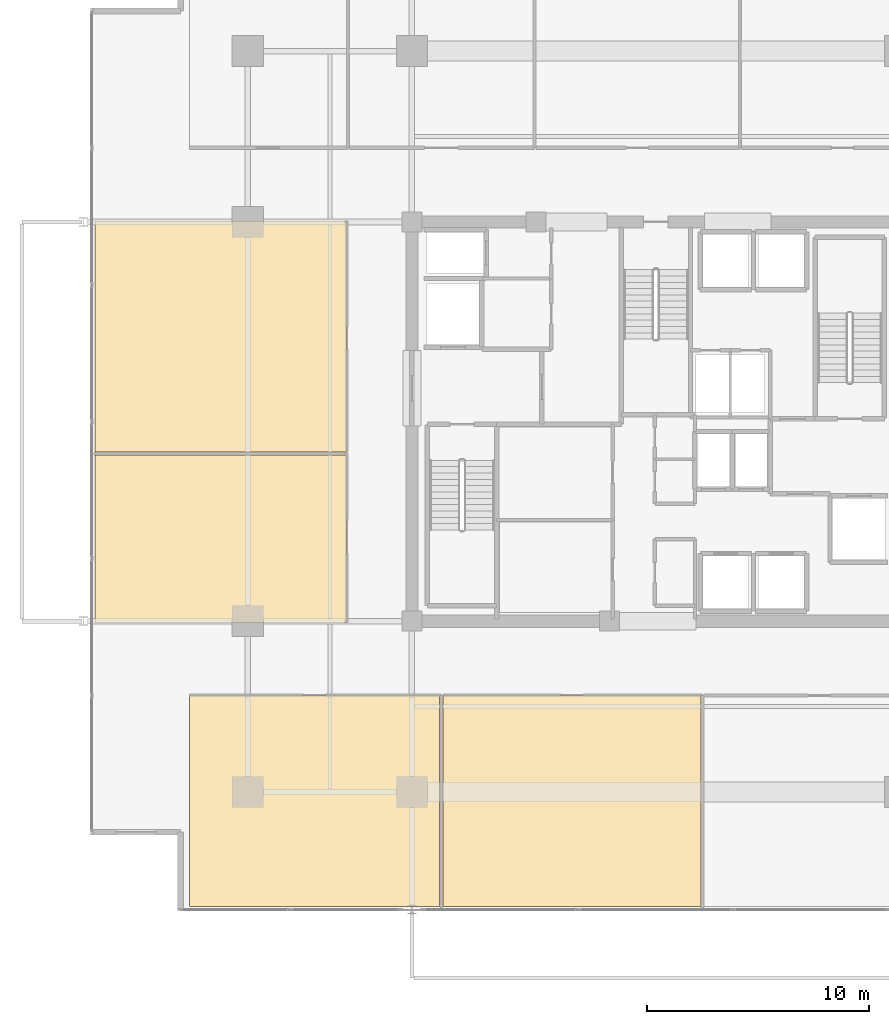
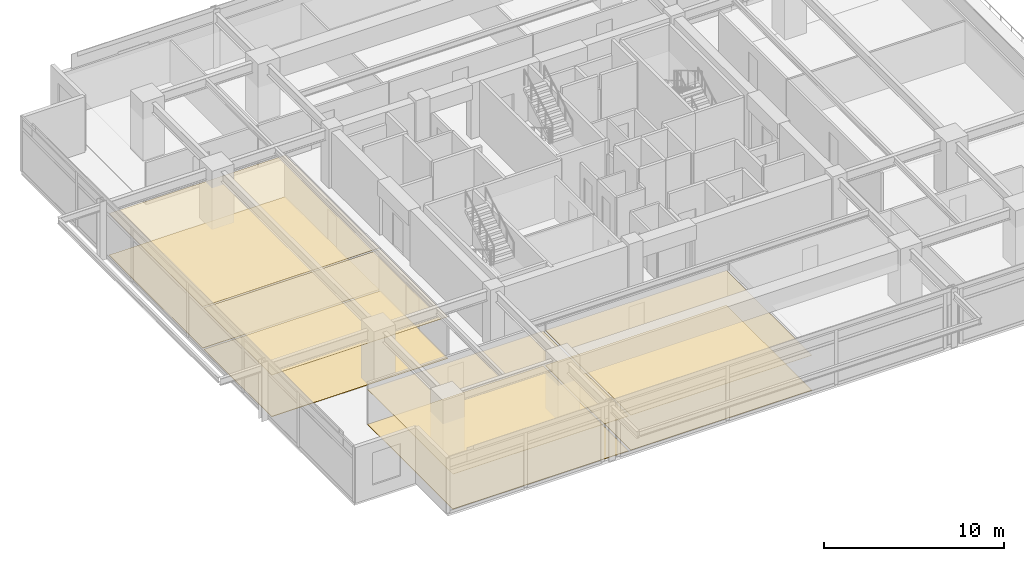
# One storey, part 18 of 21: 8 coverings.
"""IFC4 building model written with IfcOpenShell, lengths in metres."""

from ifc_helpers import new_model, si_unit, direction, frame, origin, place, context, subcontext, project, spatial, polyline, outline, extrude, material, layer, layer_set, type_object, element, save


model = new_model("IFC4")

# Units and contexts
model_context = context("Model", 3, precision=1e-05, world=origin(), true_north=direction((0.0, 1.0)))
body_context = subcontext(model_context, "Body", "Model", "MODEL_VIEW")
ifc_project = project(units=[si_unit("LENGTHUNIT", "METRE"), si_unit("AREAUNIT", "SQUARE_METRE"), si_unit("VOLUMEUNIT", "CUBIC_METRE"), si_unit("PLANEANGLEUNIT", "RADIAN"), si_unit("MASSUNIT", "GRAM", prefix="KILO")], contexts=[model_context])

# Site, building, storey
site_placement = place(None, origin())
site = spatial("IfcSite", under=ifc_project, at=site_placement, CompositionType="ELEMENT")
building_placement = place(site_placement, origin())
building = spatial("IfcBuilding", under=site, at=building_placement, Name="Kovane Verandah Tower", CompositionType="ELEMENT")
storey_placement = place(building_placement, frame((0.0, 0.0, 217.199951171875)))
storey = spatial("IfcBuildingStorey", under=building, at=storey_placement, Name="L50", CompositionType="ELEMENT", Elevation=217.199951171875)

# Coverings
ifc_material_1 = material(Name="Perforated Acoustic Mineral-Fibre Ceiling Tile", Category="gypsum")
ifc_layer_1 = layer(ifc_material_1, 0.02490234375)
ifc_layer_set_1 = layer_set([ifc_layer_1], Name="Perforated Acoustic Mineral-Fibre Ceiling Tile")
covering_type_1 = type_object("IfcCoveringType", Name="CV-CEIL-25", PredefinedType="CEILING", material=ifc_layer_set_1)
covering_1_placement = place(storey_placement, frame((0.0, 0.0, 2.380126953125)))
element("IfcCovering", 1, at=covering_1_placement, inside=storey, type_object=covering_type_1, Name="L50 Collaboration Hub S1 Acoustic Ceiling", PredefinedType="CEILING", context=body_context, shape_type="SweptSolid", body=[
    extrude(outline(polyline([(18.962646484375, 5.6357421875), (30.252685546875, 5.6357421875), (30.252685546875, 15.14990234375), (18.962646484375, 15.14990234375), (18.962646484375, 5.6357421875)])), origin(), (0.0, 0.0, 1.0), 0.02490234375),
])
covering_2_placement = place(storey_placement, frame((0.0, 0.0, 2.380126953125)))
element("IfcCovering", 2, at=covering_2_placement, inside=storey, type_object=covering_type_1, Name="L50 Document and Print Room S2 Acoustic Ceiling", PredefinedType="CEILING", context=body_context, shape_type="SweptSolid", body=[
    extrude(outline(polyline([(30.392822265625, 5.6357421875), (42.03369140625, 5.6357421875), (42.03369140625, 15.14990234375), (30.392822265625, 15.14990234375), (30.392822265625, 5.6357421875)])), origin(), (0.0, 0.0, 1.0), 0.02490234375),
])
covering_3_placement = place(storey_placement, frame((0.0, 0.0, 2.824951171875)))
element("IfcCovering", 3, at=covering_3_placement, inside=storey, type_object=covering_type_1, Name="L50 Client Boardroom W1 Acoustic Ceiling", PredefinedType="CEILING", context=body_context, shape_type="SweptSolid", body=[
    extrude(outline(polyline([(14.712646484375, 18.449951171875), (26.050048828125, 18.449951171875), (26.050048828125, 25.98193359375), (14.712646484375, 25.98193359375), (14.712646484375, 18.449951171875)])), origin(), (0.0, 0.0, 1.0), 0.025146484375),
])
covering_4_placement = place(storey_placement, frame((0.0, 0.0, 2.824951171875)))
element("IfcCovering", 4, at=covering_4_placement, inside=storey, type_object=covering_type_1, Name="L50 Meeting Room W2 Acoustic Ceiling", PredefinedType="CEILING", context=body_context, shape_type="SweptSolid", body=[
    extrude(outline(polyline([(14.712646484375, 26.1220703125), (26.050048828125, 26.1220703125), (26.050048828125, 36.550048828125), (14.712646484375, 36.550048828125), (14.712646484375, 26.1220703125)])), origin(), (0.0, 0.0, 1.0), 0.025146484375),
])
ifc_material_2 = material(Name="Polished Terrazzo and Raised-Access Carpet Tile Finish", Category="concrete")
ifc_layer_2 = layer(ifc_material_2, 0.030029296875)
ifc_layer_set_2 = layer_set([ifc_layer_2], Name="Polished Terrazzo and Raised-Access Carpet Tile Finish")
covering_type_2 = type_object("IfcCoveringType", Name="CV-FLOR-30", PredefinedType="FLOORING", material=ifc_layer_set_2)
covering_5_placement = place(storey_placement, origin())
element("IfcCovering", 5, at=covering_5_placement, inside=storey, type_object=covering_type_2, Name="L50 Collaboration Hub S1 Floor Finish", PredefinedType="FLOORING", context=body_context, shape_type="SweptSolid", body=[
    extrude(outline(polyline([(18.962646484375, 5.6357421875), (30.252685546875, 5.6357421875), (30.252685546875, 15.14990234375), (18.962646484375, 15.14990234375), (18.962646484375, 5.6357421875)])), origin(), (0.0, 0.0, 1.0), 0.030029296875),
])
covering_6_placement = place(storey_placement, origin())
element("IfcCovering", 6, at=covering_6_placement, inside=storey, type_object=covering_type_2, Name="L50 Document and Print Room S2 Floor Finish", PredefinedType="FLOORING", context=body_context, shape_type="SweptSolid", body=[
    extrude(outline(polyline([(30.392822265625, 5.6357421875), (42.03369140625, 5.6357421875), (42.03369140625, 15.14990234375), (30.392822265625, 15.14990234375), (30.392822265625, 5.6357421875)])), origin(), (0.0, 0.0, 1.0), 0.030029296875),
])
covering_7_placement = place(storey_placement, origin())
element("IfcCovering", 7, at=covering_7_placement, inside=storey, type_object=covering_type_2, Name="L50 Client Boardroom W1 Floor Finish", PredefinedType="FLOORING", context=body_context, shape_type="SweptSolid", body=[
    extrude(outline(polyline([(14.712646484375, 18.449951171875), (26.050048828125, 18.449951171875), (26.050048828125, 25.98193359375), (14.712646484375, 25.98193359375), (14.712646484375, 18.449951171875)])), origin(), (0.0, 0.0, 1.0), 0.030029296875),
])
covering_8_placement = place(storey_placement, origin())
element("IfcCovering", 8, at=covering_8_placement, inside=storey, type_object=covering_type_2, Name="L50 Meeting Room W2 Floor Finish", PredefinedType="FLOORING", context=body_context, shape_type="SweptSolid", body=[
    extrude(outline(polyline([(14.712646484375, 26.1220703125), (26.050048828125, 26.1220703125), (26.050048828125, 36.550048828125), (14.712646484375, 36.550048828125), (14.712646484375, 26.1220703125)])), origin(), (0.0, 0.0, 1.0), 0.030029296875),
])

save(model, "model.ifc")
